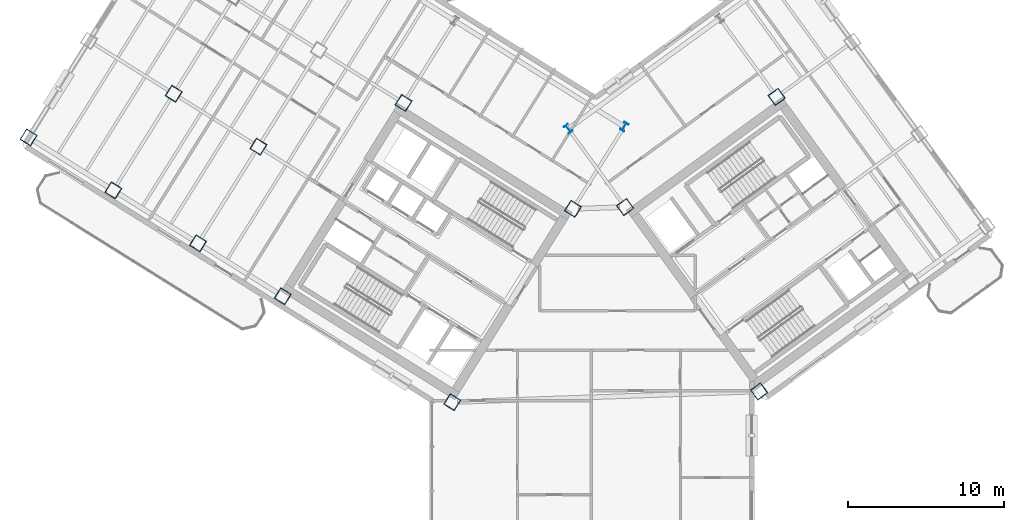
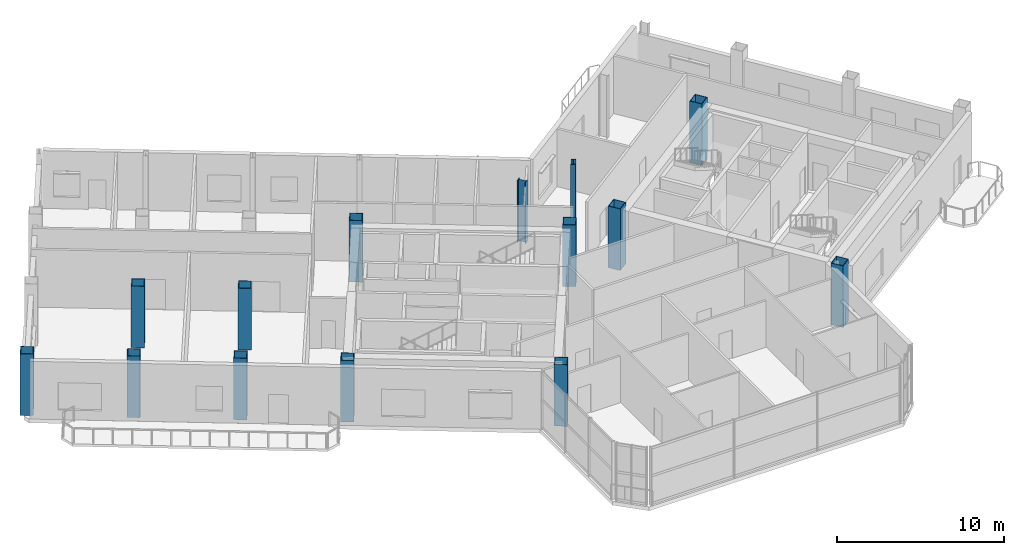
# One storey, part 1 of 20: 14 columns.
"""IFC4 building model written with IfcOpenShell, lengths in metres."""

from ifc_helpers import new_model, si_unit, direction, frame, origin, origin_2d, place, context, subcontext, project, spatial, hollow_rectangle, i_section, extrude, source, transform, mapped, material, material_profile, profile_set, type_object, element, save


model = new_model("IFC4")

# Units and contexts
model_context = context("Model", 3, precision=1e-05, world=origin(), true_north=direction((0.0, 1.0)))
body_context = subcontext(model_context, "Body", "Model", "MODEL_VIEW")
ifc_project = project(units=[si_unit("LENGTHUNIT", "METRE"), si_unit("AREAUNIT", "SQUARE_METRE"), si_unit("VOLUMEUNIT", "CUBIC_METRE"), si_unit("PLANEANGLEUNIT", "RADIAN"), si_unit("MASSUNIT", "GRAM", prefix="KILO")], contexts=[model_context])

# Site, building, storey
site_placement = place(None, origin())
site = spatial("IfcSite", under=ifc_project, at=site_placement, CompositionType="ELEMENT")
building_placement = place(site_placement, origin())
building = spatial("IfcBuilding", under=site, at=building_placement, Name="Tlacorven Tower", CompositionType="ELEMENT")
storey_placement = place(building_placement, frame((0.0, 0.0, 195.0)))
storey = spatial("IfcBuildingStorey", under=building, at=storey_placement, Name="L49", CompositionType="ELEMENT", Elevation=195.0)

# Columns
ifc_material = material(Name="Steel S460M", Category="steel")
ifc_material_profile_1 = material_profile(ifc_material, i_section(OverallWidth=0.300048828125, OverallDepth=0.550048828125, WebThickness=0.014892578125, FlangeThickness=0.029052734375, at=origin_2d()), Name="HEB 550")
ifc_profile_set_1 = profile_set([ifc_material_profile_1], Name="Steel S460M")
column_type_1 = type_object("IfcColumnType", Name="COL-TWR-P2", PredefinedType="COLUMN", material=ifc_profile_set_1)
shared_shape_1 = source(origin(), body_context, "Body", "SweptSolid", [
    extrude(i_section(OverallWidth=0.300048828125, OverallDepth=0.550048828125, WebThickness=0.014892578125, FlangeThickness=0.029052734375, at=origin_2d()), origin(), (0.0, 0.0, 1.0), 4.5),
])
for number, where, z_axis, x_axis, name in (
    (1, (44.068359375, 29.726318359375, 0.0), (0.0, 0.0, 1.0), (-0.848048096156, 0.529919264233, 0.0), "L49 column COL-L49-W1-1"),
    (2, (40.4794921875, 29.60107421875, 0.0), (0.0, 0.0, 1.0), (0.809016994375, 0.587785252292, 0.0), "L49 column COL-L49-E1-4"),
):
    element("IfcColumn", number, at=place(storey_placement, frame(where, z_axis=z_axis, x_axis=x_axis)), inside=storey, type_object=column_type_1, Name=name, PredefinedType="COLUMN", context=body_context, shape_type="MappedRepresentation", body=[
        mapped(shared_shape_1, transform((0.0, 0.0, 0.0), scale=1.0)),
    ])
ifc_material_profile_2 = material_profile(ifc_material, hollow_rectangle(XDim=0.800048828125, YDim=0.800048828125, WallThickness=0.031982421875, at=origin_2d()), Name="BOX 800X800X32")
ifc_profile_set_2 = profile_set([ifc_material_profile_2], Name="Steel S460M")
column_type_2 = type_object("IfcColumnType", Name="COL-TWR-S3", PredefinedType="COLUMN", material=ifc_profile_set_2)
shared_shape_2 = source(origin(), body_context, "Body", "SweptSolid", [
    extrude(hollow_rectangle(XDim=0.800048828125, YDim=0.800048828125, WallThickness=0.031982421875, at=origin_2d()), origin(), (0.0, 0.0, 1.0), 4.5),
])
for number, where, z_axis, x_axis, name in (
    (3, (40.782958984375, 24.468505859375, 0.0), (0.0, 0.0, 1.0), (-0.848048096156, 0.529919264233, 0.0), "L49 column COL-L49-W1-2"),
    (4, (33.046142578125, 12.0869140625, 0.0), (0.0, 0.0, 1.0), (-0.848048096156, 0.529919264233, 0.0), "L49 column COL-L49-W1-4"),
    (5, (29.927978515625, 31.25146484375, 0.0), (0.0, 0.0, 1.0), (-0.848048096156, 0.529919264233, 0.0), "L49 column COL-L49-W3-2"),
    (6, (22.191162109375, 18.869873046875, 0.0), (0.0, 0.0, 1.0), (-0.848048096156, 0.529919264233, 0.0), "L49 column COL-L49-W3-4"),
    (7, (20.632080078125, 28.4521484375, 0.0), (0.0, 0.0, 1.0), (-0.848048096156, 0.529919264233, 0.0), "L49 column COL-L49-W4-3"),
    (8, (16.763671875, 22.26123046875, 0.0), (0.0, 0.0, 1.0), (-0.848048096156, 0.529919264233, 0.0), "L49 column COL-L49-W4-4"),
    (9, (15.20458984375, 31.843505859375, 0.0), (0.0, 0.0, 1.0), (-0.848048096156, 0.529919264233, 0.0), "L49 column COL-L49-W5-3"),
    (10, (11.336181640625, 25.65283203125, 0.0), (0.0, 0.0, 1.0), (-0.848048096156, 0.529919264233, 0.0), "L49 column COL-L49-W5-4"),
    (11, (5.90869140625, 29.044189453125, 0.0), (0.0, 0.0, 1.0), (-0.848048096156, 0.529919264233, 0.0), "L49 column COL-L49-W6-4"),
    (12, (52.705322265625, 12.7734375, 0.0), (0.0, 0.0, 1.0), (0.809016994375, 0.587785252292, 0.0), "L49 column COL-L49-E1-1"),
    (13, (44.123779296875, 24.5849609375, 0.0), (0.0, 0.0, 1.0), (0.809016994375, 0.587785252292, 0.0), "L49 column COL-L49-E1-3"),
    (14, (53.83203125, 31.638427734375, 0.0), (0.0, 0.0, 1.0), (0.809016994375, 0.587785252292, 0.0), "L49 column COL-L49-E3-3"),
):
    element("IfcColumn", number, at=place(storey_placement, frame(where, z_axis=z_axis, x_axis=x_axis)), inside=storey, type_object=column_type_2, Name=name, PredefinedType="COLUMN", context=body_context, shape_type="MappedRepresentation", body=[
        mapped(shared_shape_2, transform((0.0, 0.0, 0.0), scale=1.0)),
    ])

save(model, "model.ifc")
